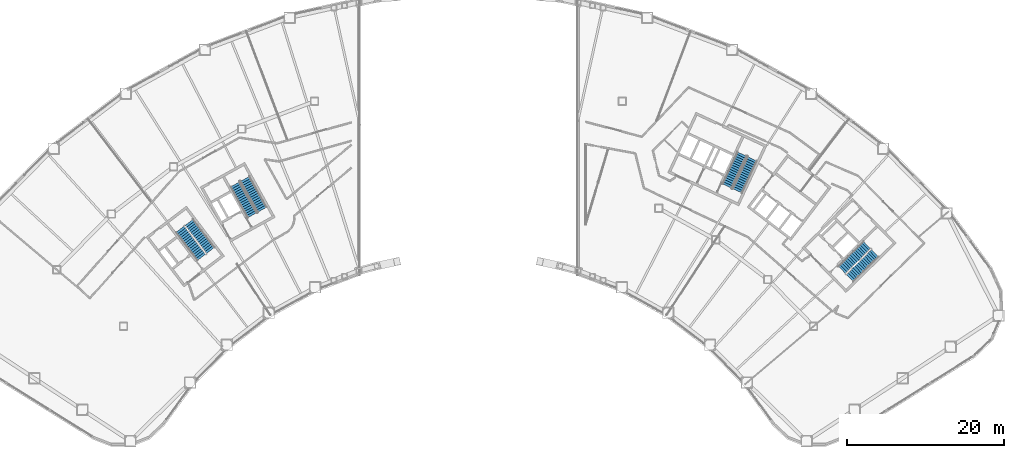
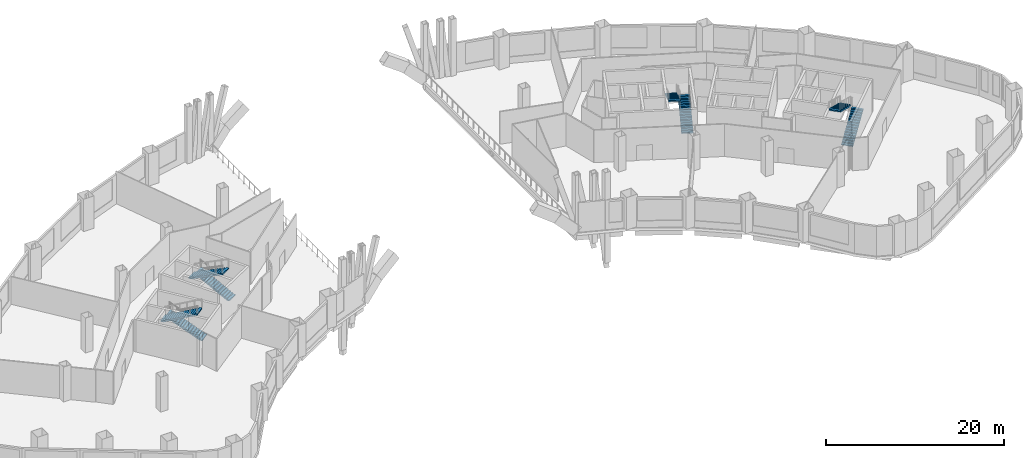
# One storey, part 12 of 14: 8 stair flights, 4 elements without a shape of their own.
"""IFC4 building model written with IfcOpenShell, lengths in metres."""

from ifc_helpers import new_model, si_unit, direction, frame, origin, place, context, subcontext, project, spatial, polyline, outline, extrude, material, type_object, element, aggregate, save


model = new_model("IFC4")

# Units and contexts
model_context = context("Model", 3, precision=1e-05, world=origin(), true_north=direction((0.0, 1.0)))
body_context = subcontext(model_context, "Body", "Model", "MODEL_VIEW")
ifc_project = project(units=[si_unit("LENGTHUNIT", "METRE"), si_unit("AREAUNIT", "SQUARE_METRE"), si_unit("VOLUMEUNIT", "CUBIC_METRE"), si_unit("PLANEANGLEUNIT", "RADIAN"), si_unit("MASSUNIT", "GRAM", prefix="KILO")], contexts=[model_context])

# Site, building, storey
site_placement = place(None, origin())
site = spatial("IfcSite", under=ifc_project, at=site_placement, CompositionType="ELEMENT")
building_placement = place(site_placement, origin())
building = spatial("IfcBuilding", under=site, at=building_placement, Name="Tuul Gate Civic Tower", CompositionType="ELEMENT")
storey_placement = place(building_placement, frame((0.0, 0.0, 17.10009765625)))
storey = spatial("IfcBuildingStorey", under=building, at=storey_placement, Name="Level 03", CompositionType="ELEMENT", Elevation=17.10009765625)

# Stair, stair flights
ifc_material_1 = material(Name="Concrete C40/50", Category="concrete")
stair_type = type_object("IfcStairType", Name="Exit stair", PredefinedType="HALF_TURN_STAIR", material=ifc_material_1)
stair_1_placement = place(storey_placement, origin())
stair_1 = element("IfcStair", 1, at=stair_1_placement, inside=storey, type_object=stair_type, Name="Level 03 ST-1", PredefinedType="HALF_TURN_STAIR")
ifc_material_2 = material(Name="Concrete C40/50", Category="concrete")
stair_flight_type = type_object("IfcStairFlightType", Name="Exit stair flight", PredefinedType="STRAIGHT", material=ifc_material_2)
stair_flight_1_placement = place(storey_placement, frame((-32.875244140625, -13.066650390625, 0.0), z_axis=(0.0, 0.0, 1.0), x_axis=(-0.605764474941, 0.795644016442, 0.0)))
stair_flight_1 = element("IfcStairFlight", 2, at=stair_flight_1_placement, type_object=stair_flight_type, Name="ST-1 flight 1", NumberOfRisers=16, NumberOfTreads=15, PredefinedType="STRAIGHT", RiserHeight=0.15, TreadLength=0.3, context=body_context, shape_type="SweptSolid", body=[
    extrude(outline(polyline([(0.0, 0.0), (0.0, 0.14990234375), (0.300048828125, 0.14990234375), (0.300048828125, 0.300048828125), (0.60009765625, 0.300048828125), (0.60009765625, 0.449951171875), (0.89990234375, 0.449951171875), (0.89990234375, 0.60009765625), (1.199951171875, 0.60009765625), (1.199951171875, 0.75), (1.5, 0.75), (1.5, 0.89990234375), (1.800048828125, 0.89990234375), (1.800048828125, 1.050048828125), (2.10009765625, 1.050048828125), (2.10009765625, 1.199951171875), (2.39990234375, 1.199951171875), (2.39990234375, 1.35009765625), (2.699951171875, 1.35009765625), (2.699951171875, 1.5), (3.0, 1.5), (3.0, 1.64990234375), (3.300048828125, 1.64990234375), (3.300048828125, 1.800048828125), (3.60009765625, 1.800048828125), (3.60009765625, 1.949951171875), (3.89990234375, 1.949951171875), (3.89990234375, 2.10009765625), (4.199951171875, 2.10009765625), (4.199951171875, 2.25), (4.5, 2.25), (4.5, 2.39990234375), (4.5, 2.08251953125), (0.335205078125, 0.0), (0.0, 0.0)])), frame((0.0, 0.675048828125, 0.0), z_axis=(0.0, -1.0, 0.0), x_axis=(1.0, 0.0, 0.0)), (0.0, 0.0, 1.0), 1.35009765625),
])
stair_flight_2_placement = place(storey_placement, frame((-36.7548828125, -10.36474609375, 2.39990234375), z_axis=(0.0, 0.0, 1.0), x_axis=(0.605764474941, -0.795644016442, 0.0)))
stair_flight_2 = element("IfcStairFlight", 3, at=stair_flight_2_placement, type_object=stair_flight_type, Name="ST-1 flight 2", NumberOfRisers=16, NumberOfTreads=15, PredefinedType="STRAIGHT", RiserHeight=0.15, TreadLength=0.3, context=body_context, shape_type="SweptSolid", body=[
    extrude(outline(polyline([(0.0, 0.0), (0.0, 0.14990234375), (0.300048828125, 0.14990234375), (0.300048828125, 0.300048828125), (0.60009765625, 0.300048828125), (0.60009765625, 0.449951171875), (0.89990234375, 0.449951171875), (0.89990234375, 0.60009765625), (1.199951171875, 0.60009765625), (1.199951171875, 0.75), (1.5, 0.75), (1.5, 0.89990234375), (1.800048828125, 0.89990234375), (1.800048828125, 1.050048828125), (2.10009765625, 1.050048828125), (2.10009765625, 1.199951171875), (2.39990234375, 1.199951171875), (2.39990234375, 1.35009765625), (2.699951171875, 1.35009765625), (2.699951171875, 1.5), (3.0, 1.5), (3.0, 1.64990234375), (3.300048828125, 1.64990234375), (3.300048828125, 1.800048828125), (3.60009765625, 1.800048828125), (3.60009765625, 1.949951171875), (3.89990234375, 1.949951171875), (3.89990234375, 2.10009765625), (4.199951171875, 2.10009765625), (4.199951171875, 2.25), (4.5, 2.25), (4.5, 2.39990234375), (4.5, 2.08251953125), (0.335205078125, 0.0), (0.0, 0.0)])), frame((0.0, 0.675048828125, 0.0), z_axis=(0.0, -1.0, 0.0), x_axis=(1.0, 0.0, 0.0)), (0.0, 0.0, 1.0), 1.35009765625),
])
aggregate(stair_1, [stair_flight_1, stair_flight_2])

stair_2_placement = place(storey_placement, origin())
stair_2 = element("IfcStair", 4, at=stair_2_placement, inside=storey, type_object=stair_type, Name="Level 03 ST-2", PredefinedType="HALF_TURN_STAIR")
stair_flight_3_placement = place(storey_placement, frame((-26.29150390625, -7.87646484375, 0.0), z_axis=(0.0, 0.0, 1.0), x_axis=(-0.484761763766, 0.874646232708, 0.0)))
stair_flight_3 = element("IfcStairFlight", 5, at=stair_flight_3_placement, type_object=stair_flight_type, Name="ST-2 flight 1", NumberOfRisers=16, NumberOfTreads=15, PredefinedType="STRAIGHT", RiserHeight=0.15, TreadLength=0.3, context=body_context, shape_type="SweptSolid", body=[
    extrude(outline(polyline([(0.0, 0.0), (0.0, 0.14990234375), (0.300048828125, 0.14990234375), (0.300048828125, 0.300048828125), (0.60009765625, 0.300048828125), (0.60009765625, 0.449951171875), (0.89990234375, 0.449951171875), (0.89990234375, 0.60009765625), (1.199951171875, 0.60009765625), (1.199951171875, 0.75), (1.5, 0.75), (1.5, 0.89990234375), (1.800048828125, 0.89990234375), (1.800048828125, 1.050048828125), (2.10009765625, 1.050048828125), (2.10009765625, 1.199951171875), (2.39990234375, 1.199951171875), (2.39990234375, 1.35009765625), (2.699951171875, 1.35009765625), (2.699951171875, 1.5), (3.0, 1.5), (3.0, 1.64990234375), (3.300048828125, 1.64990234375), (3.300048828125, 1.800048828125), (3.60009765625, 1.800048828125), (3.60009765625, 1.949951171875), (3.89990234375, 1.949951171875), (3.89990234375, 2.10009765625), (4.199951171875, 2.10009765625), (4.199951171875, 2.25), (4.5, 2.25), (4.5, 2.39990234375), (4.5, 2.08251953125), (0.335205078125, 0.0), (0.0, 0.0)])), frame((0.0, 0.675048828125, 0.0), z_axis=(0.0, -1.0, 0.0), x_axis=(1.0, 0.0, 0.0)), (0.0, 0.0, 1.0), 1.35009765625),
])
stair_flight_4_placement = place(storey_placement, frame((-29.7412109375, -4.6435546875, 2.39990234375), z_axis=(0.0, 0.0, 1.0), x_axis=(0.484761763766, -0.874646232708, 0.0)))
stair_flight_4 = element("IfcStairFlight", 6, at=stair_flight_4_placement, type_object=stair_flight_type, Name="ST-2 flight 2", NumberOfRisers=16, NumberOfTreads=15, PredefinedType="STRAIGHT", RiserHeight=0.15, TreadLength=0.3, context=body_context, shape_type="SweptSolid", body=[
    extrude(outline(polyline([(0.0, 0.0), (0.0, 0.14990234375), (0.300048828125, 0.14990234375), (0.300048828125, 0.300048828125), (0.60009765625, 0.300048828125), (0.60009765625, 0.449951171875), (0.89990234375, 0.449951171875), (0.89990234375, 0.60009765625), (1.199951171875, 0.60009765625), (1.199951171875, 0.75), (1.5, 0.75), (1.5, 0.89990234375), (1.800048828125, 0.89990234375), (1.800048828125, 1.050048828125), (2.10009765625, 1.050048828125), (2.10009765625, 1.199951171875), (2.39990234375, 1.199951171875), (2.39990234375, 1.35009765625), (2.699951171875, 1.35009765625), (2.699951171875, 1.5), (3.0, 1.5), (3.0, 1.64990234375), (3.300048828125, 1.64990234375), (3.300048828125, 1.800048828125), (3.60009765625, 1.800048828125), (3.60009765625, 1.949951171875), (3.89990234375, 1.949951171875), (3.89990234375, 2.10009765625), (4.199951171875, 2.10009765625), (4.199951171875, 2.25), (4.5, 2.25), (4.5, 2.39990234375), (4.5, 2.08251953125), (0.335205078125, 0.0), (0.0, 0.0)])), frame((0.0, 0.675048828125, 0.0), z_axis=(0.0, -1.0, 0.0), x_axis=(1.0, 0.0, 0.0)), (0.0, 0.0, 1.0), 1.35009765625),
])
aggregate(stair_2, [stair_flight_3, stair_flight_4])

stair_3_placement = place(storey_placement, origin())
stair_3 = element("IfcStair", 7, at=stair_3_placement, inside=storey, type_object=stair_type, Name="Level 03 ST-3", PredefinedType="HALF_TURN_STAIR")
stair_flight_5_placement = place(storey_placement, frame((48.61376953125, -16.581787109375, 0.0), z_axis=(0.0, 0.0, 1.0), x_axis=(0.714127290059, 0.700015866672, 0.0)))
stair_flight_5 = element("IfcStairFlight", 8, at=stair_flight_5_placement, type_object=stair_flight_type, Name="ST-3 flight 1", NumberOfRisers=16, NumberOfTreads=15, PredefinedType="STRAIGHT", RiserHeight=0.15, TreadLength=0.3, context=body_context, shape_type="SweptSolid", body=[
    extrude(outline(polyline([(0.0, 0.0), (0.0, 0.14990234375), (0.300048828125, 0.14990234375), (0.300048828125, 0.300048828125), (0.60009765625, 0.300048828125), (0.60009765625, 0.449951171875), (0.89990234375, 0.449951171875), (0.89990234375, 0.60009765625), (1.199951171875, 0.60009765625), (1.199951171875, 0.75), (1.5, 0.75), (1.5, 0.89990234375), (1.800048828125, 0.89990234375), (1.800048828125, 1.050048828125), (2.10009765625, 1.050048828125), (2.10009765625, 1.199951171875), (2.39990234375, 1.199951171875), (2.39990234375, 1.35009765625), (2.699951171875, 1.35009765625), (2.699951171875, 1.5), (3.0, 1.5), (3.0, 1.64990234375), (3.300048828125, 1.64990234375), (3.300048828125, 1.800048828125), (3.60009765625, 1.800048828125), (3.60009765625, 1.949951171875), (3.89990234375, 1.949951171875), (3.89990234375, 2.10009765625), (4.199951171875, 2.10009765625), (4.199951171875, 2.25), (4.5, 2.25), (4.5, 2.39990234375), (4.5, 2.08251953125), (0.335205078125, 0.0), (0.0, 0.0)])), frame((0.0, 0.675048828125, 0.0), z_axis=(0.0, -1.0, 0.0), x_axis=(1.0, 0.0, 0.0)), (0.0, 0.0, 1.0), 1.35009765625),
])
stair_flight_6_placement = place(storey_placement, frame((50.812255859375, -12.396240234375, 2.39990234375), z_axis=(0.0, 0.0, 1.0), x_axis=(-0.714127290059, -0.700015866672, 0.0)))
stair_flight_6 = element("IfcStairFlight", 9, at=stair_flight_6_placement, type_object=stair_flight_type, Name="ST-3 flight 2", NumberOfRisers=16, NumberOfTreads=15, PredefinedType="STRAIGHT", RiserHeight=0.15, TreadLength=0.3, context=body_context, shape_type="SweptSolid", body=[
    extrude(outline(polyline([(0.0, 0.0), (0.0, 0.14990234375), (0.300048828125, 0.14990234375), (0.300048828125, 0.300048828125), (0.60009765625, 0.300048828125), (0.60009765625, 0.449951171875), (0.89990234375, 0.449951171875), (0.89990234375, 0.60009765625), (1.199951171875, 0.60009765625), (1.199951171875, 0.75), (1.5, 0.75), (1.5, 0.89990234375), (1.800048828125, 0.89990234375), (1.800048828125, 1.050048828125), (2.10009765625, 1.050048828125), (2.10009765625, 1.199951171875), (2.39990234375, 1.199951171875), (2.39990234375, 1.35009765625), (2.699951171875, 1.35009765625), (2.699951171875, 1.5), (3.0, 1.5), (3.0, 1.64990234375), (3.300048828125, 1.64990234375), (3.300048828125, 1.800048828125), (3.60009765625, 1.800048828125), (3.60009765625, 1.949951171875), (3.89990234375, 1.949951171875), (3.89990234375, 2.10009765625), (4.199951171875, 2.10009765625), (4.199951171875, 2.25), (4.5, 2.25), (4.5, 2.39990234375), (4.5, 2.08251953125), (0.335205078125, 0.0), (0.0, 0.0)])), frame((0.0, 0.675048828125, 0.0), z_axis=(0.0, -1.0, 0.0), x_axis=(1.0, 0.0, 0.0)), (0.0, 0.0, 1.0), 1.35009765625),
])
aggregate(stair_3, [stair_flight_5, stair_flight_6])

stair_4_placement = place(storey_placement, origin())
stair_4 = element("IfcStair", 10, at=stair_4_placement, inside=storey, type_object=stair_type, Name="Level 03 ST-4", PredefinedType="HALF_TURN_STAIR")
stair_flight_7_placement = place(storey_placement, frame((34.278564453125, -5.478515625, 0.0), z_axis=(0.0, 0.0, 1.0), x_axis=(0.422576295988, 0.906327354806, 0.0)))
stair_flight_7 = element("IfcStairFlight", 11, at=stair_flight_7_placement, type_object=stair_flight_type, Name="ST-4 flight 1", NumberOfRisers=16, NumberOfTreads=15, PredefinedType="STRAIGHT", RiserHeight=0.15, TreadLength=0.3, context=body_context, shape_type="SweptSolid", body=[
    extrude(outline(polyline([(0.0, 0.0), (0.0, 0.14990234375), (0.300048828125, 0.14990234375), (0.300048828125, 0.300048828125), (0.60009765625, 0.300048828125), (0.60009765625, 0.449951171875), (0.89990234375, 0.449951171875), (0.89990234375, 0.60009765625), (1.199951171875, 0.60009765625), (1.199951171875, 0.75), (1.5, 0.75), (1.5, 0.89990234375), (1.800048828125, 0.89990234375), (1.800048828125, 1.050048828125), (2.10009765625, 1.050048828125), (2.10009765625, 1.199951171875), (2.39990234375, 1.199951171875), (2.39990234375, 1.35009765625), (2.699951171875, 1.35009765625), (2.699951171875, 1.5), (3.0, 1.5), (3.0, 1.64990234375), (3.300048828125, 1.64990234375), (3.300048828125, 1.800048828125), (3.60009765625, 1.800048828125), (3.60009765625, 1.949951171875), (3.89990234375, 1.949951171875), (3.89990234375, 2.10009765625), (4.199951171875, 2.10009765625), (4.199951171875, 2.25), (4.5, 2.25), (4.5, 2.39990234375), (4.5, 2.08251953125), (0.335205078125, 0.0), (0.0, 0.0)])), frame((0.0, 0.675048828125, 0.0), z_axis=(0.0, -1.0, 0.0), x_axis=(1.0, 0.0, 0.0)), (0.0, 0.0, 1.0), 1.35009765625),
])
stair_flight_8_placement = place(storey_placement, frame((34.865966796875, -0.787353515625, 2.39990234375), z_axis=(0.0, 0.0, 1.0), x_axis=(-0.422576295988, -0.906327354806, 0.0)))
stair_flight_8 = element("IfcStairFlight", 12, at=stair_flight_8_placement, type_object=stair_flight_type, Name="ST-4 flight 2", NumberOfRisers=16, NumberOfTreads=15, PredefinedType="STRAIGHT", RiserHeight=0.15, TreadLength=0.3, context=body_context, shape_type="SweptSolid", body=[
    extrude(outline(polyline([(0.0, 0.0), (0.0, 0.14990234375), (0.300048828125, 0.14990234375), (0.300048828125, 0.300048828125), (0.60009765625, 0.300048828125), (0.60009765625, 0.449951171875), (0.89990234375, 0.449951171875), (0.89990234375, 0.60009765625), (1.199951171875, 0.60009765625), (1.199951171875, 0.75), (1.5, 0.75), (1.5, 0.89990234375), (1.800048828125, 0.89990234375), (1.800048828125, 1.050048828125), (2.10009765625, 1.050048828125), (2.10009765625, 1.199951171875), (2.39990234375, 1.199951171875), (2.39990234375, 1.35009765625), (2.699951171875, 1.35009765625), (2.699951171875, 1.5), (3.0, 1.5), (3.0, 1.64990234375), (3.300048828125, 1.64990234375), (3.300048828125, 1.800048828125), (3.60009765625, 1.800048828125), (3.60009765625, 1.949951171875), (3.89990234375, 1.949951171875), (3.89990234375, 2.10009765625), (4.199951171875, 2.10009765625), (4.199951171875, 2.25), (4.5, 2.25), (4.5, 2.39990234375), (4.5, 2.08251953125), (0.335205078125, 0.0), (0.0, 0.0)])), frame((0.0, 0.675048828125, 0.0), z_axis=(0.0, -1.0, 0.0), x_axis=(1.0, 0.0, 0.0)), (0.0, 0.0, 1.0), 1.35009765625),
])
aggregate(stair_4, [stair_flight_7, stair_flight_8])

save(model, "model.ifc")
